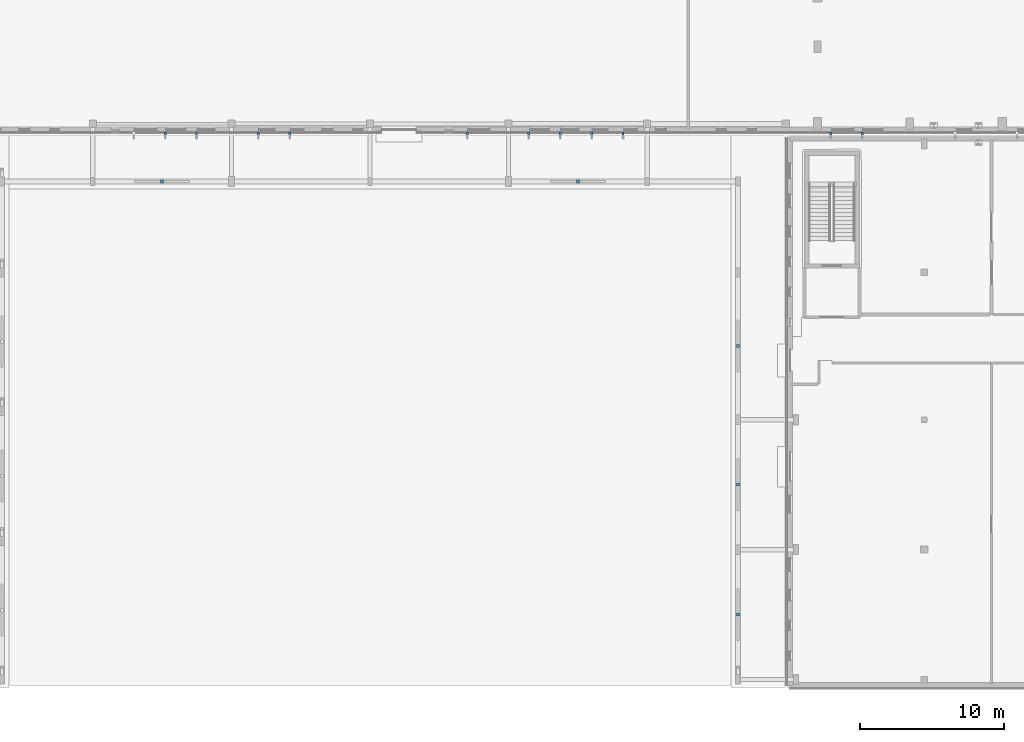
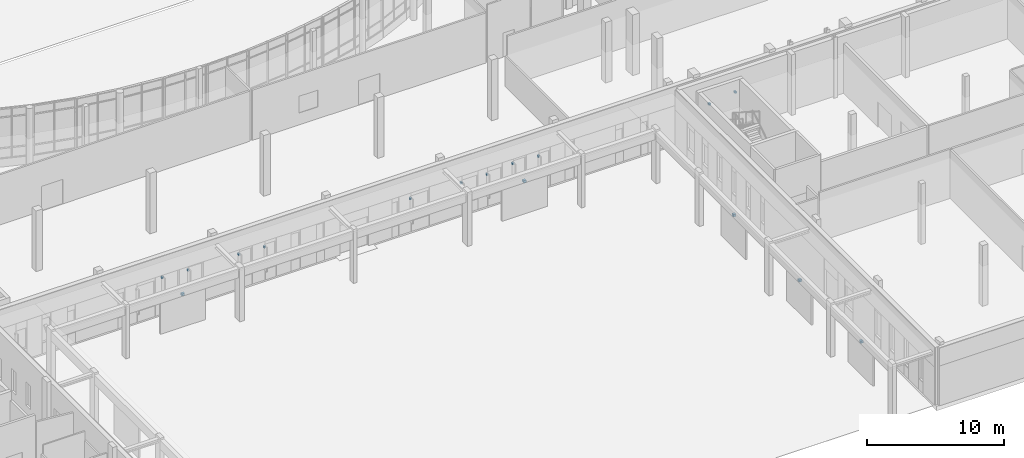
# One storey, part 55 of 84: 16 discrete accessories.
"""IFC4 building model written with IfcOpenShell, lengths in metres."""

from ifc_helpers import new_model, si_unit, direction, frame, origin, origin_2d, place, context, subcontext, project, spatial, rectangle, extrude, material, type_object, element, save


model = new_model("IFC4")

# Units and contexts
model_context = context("Model", 3, precision=1e-05, world=origin(), true_north=direction((0.0, 1.0)))
body_context = subcontext(model_context, "Body", "Model", "MODEL_VIEW")
ifc_project = project(units=[si_unit("LENGTHUNIT", "METRE"), si_unit("AREAUNIT", "SQUARE_METRE"), si_unit("VOLUMEUNIT", "CUBIC_METRE"), si_unit("PLANEANGLEUNIT", "RADIAN"), si_unit("MASSUNIT", "GRAM", prefix="KILO")], contexts=[model_context])

# Site, building, storey
site_placement = place(None, origin())
site = spatial("IfcSite", under=ifc_project, at=site_placement, CompositionType="ELEMENT")
building_placement = place(site_placement, origin())
building = spatial("IfcBuilding", under=site, at=building_placement, Name="Mzevani Central Library", CompositionType="ELEMENT")
storey_placement = place(building_placement, origin())
storey = spatial("IfcBuildingStorey", under=building, at=storey_placement, Name="L00", CompositionType="ELEMENT", Elevation=0.0)

# Discrete accessories
ifc_material = material(Name="Steel S355J2", Category="steel")
discrete_accessory_type = type_object("IfcDiscreteAccessoryType", Name="Stainless Facade Support Bracket", PredefinedType="BRACKET", material=ifc_material)
for number, where, z_axis, x_axis, name in (
    (1, (117.304931640625, 42.43994140625, 2.81982421875), (0.0, 0.0, 1.0), (-1.0, 0.0, 0.0), "L00 V1 Fin Support Bracket (14)"),
    (2, (115.1298828125, 42.43994140625, 2.52001953125), (0.0, 0.0, 1.0), (-1.0, 0.0, 0.0), "L00 V1 Fin Support Bracket (15)"),
    (3, (100.72998046875, 42.43994140625, 2.919921875), (0.0, 0.0, 1.0), (-1.0, 0.0, 0.0), "L00 V1 Fin Support Bracket (19)"),
    (4, (98.554931640625, 42.43994140625, 3.02001953125), (0.0, 0.0, 1.0), (-1.0, 0.0, 0.0), "L00 V1 Fin Support Bracket (20)"),
    (5, (96.3798828125, 42.43994140625, 2.81982421875), (0.0, 0.0, 1.0), (-1.0, 0.0, 0.0), "L00 V1 Fin Support Bracket (21)"),
    (6, (94.205078125, 42.43994140625, 2.81982421875), (0.0, 0.0, 1.0), (-1.0, 0.0, 0.0), "L00 V1 Fin Support Bracket (22)"),
    (7, (89.929931640625, 42.43994140625, 2.919921875), (0.0, 0.0, 1.0), (-1.0, 0.0, 0.0), "L00 V1 Fin Support Bracket (23)"),
    (8, (77.6298828125, 42.43994140625, 2.919921875), (0.0, 0.0, 1.0), (-1.0, 0.0, 0.0), "L00 V1 Fin Support Bracket (27)"),
    (9, (75.455078125, 42.43994140625, 3.02001953125), (0.0, 0.0, 1.0), (-1.0, 0.0, 0.0), "L00 V1 Fin Support Bracket (28)"),
    (10, (71.179931640625, 42.43994140625, 3.1201171875), (0.0, 0.0, 1.0), (-1.0, 0.0, 0.0), "L00 V1 Fin Support Bracket (29)"),
    (11, (69.0048828125, 42.43994140625, 3.22021484375), (0.0, 0.0, 1.0), (-1.0, 0.0, 0.0), "L00 V1 Fin Support Bracket (30)"),
):
    element("IfcDiscreteAccessory", number, at=place(storey_placement, frame(where, z_axis=z_axis, x_axis=x_axis)), inside=storey, type_object=discrete_accessory_type, Name=name, PredefinedType="BRACKET", context=body_context, shape_type="SweptSolid", body=[
        extrude(rectangle(XDim=0.159912109375, YDim=0.199951171875, at=origin_2d()), origin(), (0.0, 0.0, 1.0), 0.159912109375),
    ])
for number, where, z_axis, x_axis, name in (
    (12, (108.699951171875, 9.10009765625, 3.7998046875), (0.0, 0.0, 1.0), (1.0, 0.0, 0.0), "L00 Breeze-Block Screen Bracket 4"),
    (13, (108.699951171875, 18.10009765625, 3.7998046875), (0.0, 0.0, 1.0), (1.0, 0.0, 0.0), "L00 Breeze-Block Screen Bracket 5"),
    (14, (108.699951171875, 27.699951171875, 3.7998046875), (0.0, 0.0, 1.0), (1.0, 0.0, 0.0), "L00 Breeze-Block Screen Bracket 6"),
    (15, (68.800048828125, 39.10009765625, 3.7998046875), (0.0, 0.0, 1.0), (1.0, 0.0, 0.0), "L00 Breeze-Block Screen Bracket 7"),
    (16, (97.60009765625, 39.10009765625, 3.7998046875), (0.0, 0.0, 1.0), (1.0, 0.0, 0.0), "L00 Breeze-Block Screen Bracket 8"),
):
    element("IfcDiscreteAccessory", number, at=place(storey_placement, frame(where, z_axis=z_axis, x_axis=x_axis)), inside=storey, type_object=discrete_accessory_type, Name=name, PredefinedType="BRACKET", context=body_context, shape_type="SweptSolid", body=[
        extrude(rectangle(XDim=0.219970703125, YDim=0.219970703125, at=origin_2d()), origin(), (0.0, 0.0, 1.0), 0.199951171875),
    ])

save(model, "model.ifc")
